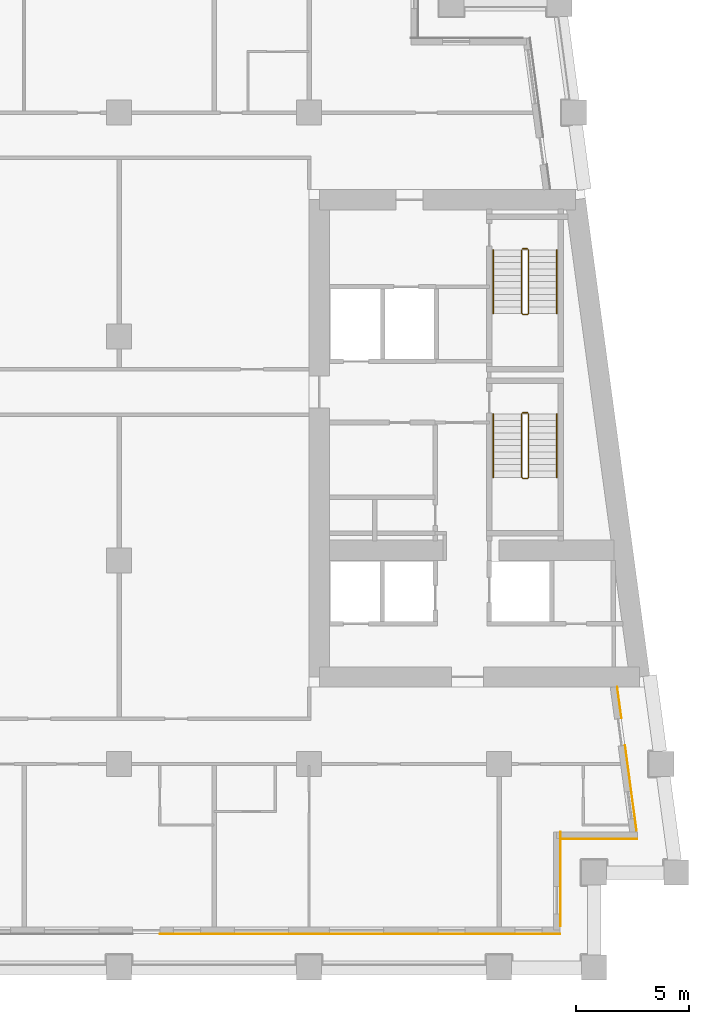
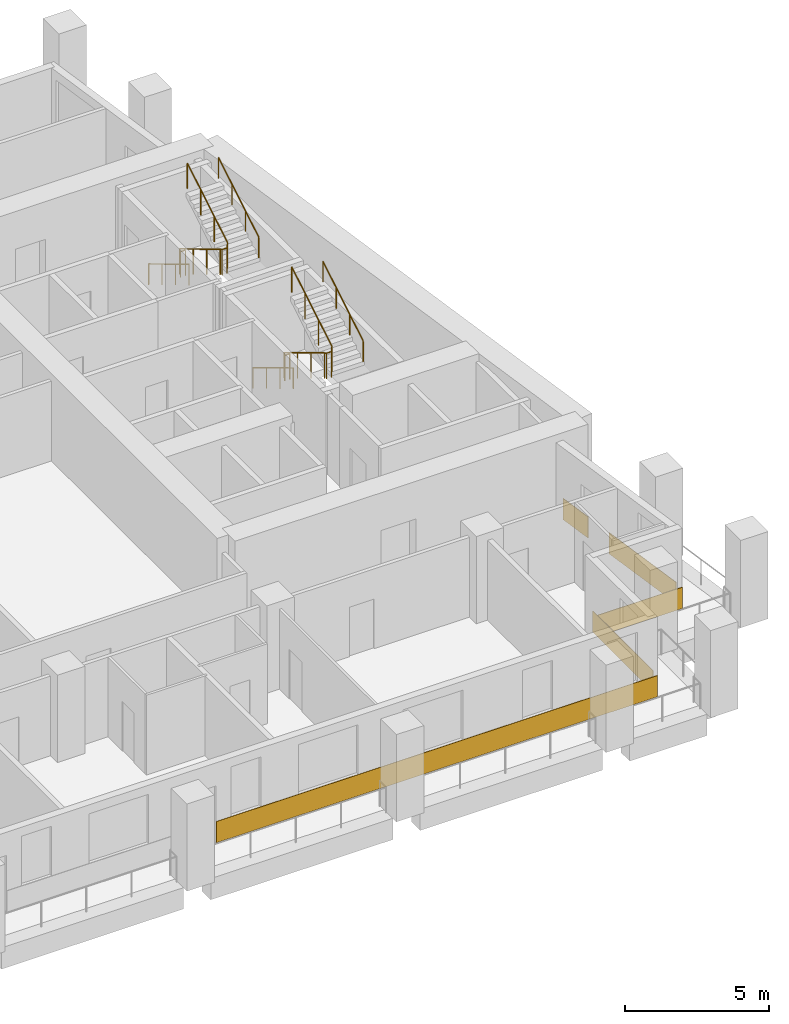
# One storey, part 11 of 13: 8 railings, 5 coverings.
"""IFC4 building model written with IfcOpenShell, lengths in metres."""

from ifc_helpers import new_model, si_unit, direction, frame, origin, origin_2d, place, context, subcontext, project, spatial, rectangle, circle, extrude, material, layer, layer_set, type_object, element, save


model = new_model("IFC4")

# Units and contexts
model_context = context("Model", 3, precision=1e-05, world=origin(), true_north=direction((0.0, 1.0)))
body_context = subcontext(model_context, "Body", "Model", "MODEL_VIEW")
ifc_project = project(units=[si_unit("LENGTHUNIT", "METRE"), si_unit("AREAUNIT", "SQUARE_METRE"), si_unit("VOLUMEUNIT", "CUBIC_METRE"), si_unit("PLANEANGLEUNIT", "RADIAN"), si_unit("MASSUNIT", "GRAM", prefix="KILO")], contexts=[model_context])

# Site, building, storey
site_placement = place(None, origin())
site = spatial("IfcSite", under=ifc_project, at=site_placement, CompositionType="ELEMENT")
building_placement = place(site_placement, origin())
building = spatial("IfcBuilding", under=site, at=building_placement, Name="Candeia Pilgrim Tower and Theatre", CompositionType="ELEMENT")
storey_placement = place(building_placement, frame((0.0, 0.0, 170.0)))
storey = spatial("IfcBuildingStorey", under=building, at=storey_placement, Name="L40", CompositionType="ELEMENT", Elevation=170.0)

# Coverings
ifc_material_1 = material(Name="Glazed ceramic tile rust")
ifc_layer = layer(ifc_material_1, 0.02001953125)
ifc_layer_set = layer_set([ifc_layer], Name="Glazed ceramic tile rust")
covering_type = type_object("IfcCoveringType", Name="Glazed ceramic tile rust", PredefinedType="CLADDING", material=ifc_layer_set)
covering_1_placement = place(storey_placement, frame((128.25, 99.489990234375, 0.0), z_axis=(0.0, 0.0, 1.0), x_axis=(1.0, 0.0, 0.0)))
element("IfcCovering", 1, at=covering_1_placement, inside=storey, type_object=covering_type, Name="Tile cladding rust L40", PredefinedType="CLADDING", context=body_context, shape_type="SweptSolid", body=[
    extrude(rectangle(XDim=17.699951171875, YDim=0.02001953125, at=origin_2d()), origin(), (0.0, 0.0, 1.0), 0.89990234375),
])
covering_2_placement = place(storey_placement, frame((137.110107421875, 101.909912109375, 0.0), z_axis=(0.0, 0.0, 1.0), x_axis=(0.0, 1.0, 0.0)))
element("IfcCovering", 2, at=covering_2_placement, inside=storey, type_object=covering_type, Name="Tile cladding rust L40", PredefinedType="CLADDING", context=body_context, shape_type="SweptSolid", body=[
    extrude(rectangle(XDim=4.179931640625, YDim=0.02001953125, at=origin_2d()), origin(), (0.0, 0.0, 1.0), 0.89990234375),
])
covering_3_placement = place(storey_placement, frame((138.819580078125, 103.68994140625, 0.0), z_axis=(0.0, 0.0, 1.0), x_axis=(1.0, 0.0, 0.0)))
element("IfcCovering", 3, at=covering_3_placement, inside=storey, type_object=covering_type, Name="Tile cladding rust L40", PredefinedType="CLADDING", context=body_context, shape_type="SweptSolid", body=[
    extrude(rectangle(XDim=3.399169921875, YDim=0.02001953125, at=origin_2d()), origin(), (0.0, 0.0, 1.0), 0.89990234375),
])
covering_4_placement = place(storey_placement, frame((140.228515625, 105.933349609375, 0.0), z_axis=(0.0, 0.0, 1.0), x_axis=(-0.133412012145, 0.991060661622, 0.0)))
element("IfcCovering", 4, at=covering_4_placement, inside=storey, type_object=covering_type, Name="Tile cladding rust L40", PredefinedType="CLADDING", context=body_context, shape_type="SweptSolid", body=[
    extrude(rectangle(XDim=3.821044921875, YDim=0.02001953125, at=origin_2d()), origin(), (0.0, 0.0, 1.0), 0.89990234375),
])
covering_5_placement = place(storey_placement, frame((139.718994140625, 109.71875, 0.0), z_axis=(0.0, 0.0, 1.0), x_axis=(-0.133412012145, 0.991060661622, 0.0)))
element("IfcCovering", 5, at=covering_5_placement, inside=storey, type_object=covering_type, Name="Tile cladding rust L40", PredefinedType="CLADDING", context=body_context, shape_type="SweptSolid", body=[
    extrude(rectangle(XDim=1.41796875, YDim=0.02001953125, at=origin_2d()), origin(), (0.0, 0.0, 1.0), 0.89990234375),
])

# Railings
ifc_material_2 = material(Name="Stainless steel balustrade", Category="steel")
railing_type_1 = type_object("IfcRailingType", Name="RL-GUARD-1100", PredefinedType="GUARDRAIL", material=ifc_material_2)
railing_1_placement = place(storey_placement, frame((135.39794921875, 122.47509765625, 0.168212890625)))
element("IfcRailing", 6, at=railing_1_placement, inside=storey, type_object=railing_type_1, Name="L40 ST3 stair guard 1", PredefinedType="GUARDRAIL", context=body_context, shape_type="SweptSolid", body=[
    extrude(circle(Radius=0.02392578125, at=origin_2d()), frame((0.0, 0.0, 1.076171875), z_axis=(0.0, -0.857242210791, 0.514913383045), x_axis=(1.0, 0.0, 0.0)), (0.0, 0.0, 1.0), 3.266357421875),
    extrude(circle(Radius=0.02392578125, at=origin_2d()), frame((0.0, -2.800048828125, 2.7578125), z_axis=(0.707106781187, -0.707106781187, 0.0), x_axis=(0.707106781187, 0.707106781187, 0.0)), (0.0, 0.0, 1.0), 0.07080078125),
    extrude(circle(Radius=0.02392578125, at=origin_2d()), frame((0.050048828125, -2.85009765625, 2.7578125), z_axis=(1.0, 0.0, 0.0), x_axis=(0.0, 1.0, 0.0)), (0.0, 0.0, 1.0), 0.199951171875),
    extrude(circle(Radius=0.02392578125, at=origin_2d()), frame((0.25, -2.85009765625, 2.7578125), z_axis=(0.274582412415, 0.274582412415, 0.921525364591), x_axis=(-0.707106781187, 0.707106781187, 0.0)), (0.0, 0.0, 1.0), 0.182373046875),
    extrude(circle(Radius=0.02392578125, at=origin_2d()), frame((0.300048828125, -2.800048828125, 2.92578125), z_axis=(0.0, 0.857242210791, 0.514913383045), x_axis=(-1.0, 0.0, 0.0)), (0.0, 0.0, 1.0), 3.266357421875),
    extrude(circle(Radius=0.02099609375, at=origin_2d()), origin(), (0.0, 0.0, 1.0), 1.052001953125),
    extrude(circle(Radius=0.02099609375, at=origin_2d()), frame((0.0, -0.933349609375, 0.560546875)), (0.0, 0.0, 1.0), 1.052001953125),
    extrude(circle(Radius=0.02099609375, at=origin_2d()), frame((0.0, -1.86669921875, 1.121337890625)), (0.0, 0.0, 1.0), 1.052001953125),
    extrude(circle(Radius=0.02099609375, at=origin_2d()), frame((0.0, -2.800048828125, 1.681884765625)), (0.0, 0.0, 1.0), 1.052001953125),
    extrude(circle(Radius=0.02099609375, at=origin_2d()), frame((0.050048828125, -2.85009765625, 1.681884765625)), (0.0, 0.0, 1.0), 1.052001953125),
    extrude(circle(Radius=0.02099609375, at=origin_2d()), frame((0.25, -2.85009765625, 1.681884765625)), (0.0, 0.0, 1.0), 1.052001953125),
    extrude(circle(Radius=0.02099609375, at=origin_2d()), frame((0.300048828125, -2.800048828125, 1.849853515625)), (0.0, 0.0, 1.0), 1.052001953125),
    extrude(circle(Radius=0.02099609375, at=origin_2d()), frame((0.300048828125, -1.86669921875, 2.410400390625)), (0.0, 0.0, 1.0), 1.052001953125),
    extrude(circle(Radius=0.02099609375, at=origin_2d()), frame((0.300048828125, -0.933349609375, 2.97119140625)), (0.0, 0.0, 1.0), 1.052001953125),
    extrude(circle(Radius=0.02099609375, at=origin_2d()), frame((0.300048828125, 0.0, 3.53173828125)), (0.0, 0.0, 1.0), 1.052001953125),
])
railing_2_placement = place(storey_placement, frame((135.447998046875, 122.52490234375, 0.0)))
element("IfcRailing", 7, at=railing_2_placement, inside=storey, type_object=railing_type_1, Name="L40 ST3 stair guard 2", PredefinedType="GUARDRAIL", context=body_context, shape_type="SweptSolid", body=[
    extrude(circle(Radius=0.02392578125, at=origin_2d()), frame((0.0, 0.0, 1.076171875), z_axis=(1.0, 0.0, 0.0), x_axis=(0.0, 1.0, 0.0)), (0.0, 0.0, 1.0), 0.199951171875),
    extrude(circle(Radius=0.02099609375, at=origin_2d()), origin(), (0.0, 0.0, 1.0), 1.052001953125),
    extrude(circle(Radius=0.02099609375, at=origin_2d()), frame((0.199951171875, 0.0, 0.0)), (0.0, 0.0, 1.0), 1.052001953125),
])
railing_3_placement = place(storey_placement, frame((135.39794921875, 129.72509765625, 0.168212890625)))
element("IfcRailing", 8, at=railing_3_placement, inside=storey, type_object=railing_type_1, Name="L40 ST4 stair guard 1", PredefinedType="GUARDRAIL", context=body_context, shape_type="SweptSolid", body=[
    extrude(circle(Radius=0.02392578125, at=origin_2d()), frame((0.0, 0.0, 1.076171875), z_axis=(0.0, -0.857242210791, 0.514913383045), x_axis=(1.0, 0.0, 0.0)), (0.0, 0.0, 1.0), 3.266357421875),
    extrude(circle(Radius=0.02392578125, at=origin_2d()), frame((0.0, -2.800048828125, 2.7578125), z_axis=(0.707106781187, -0.707106781187, 0.0), x_axis=(0.707106781187, 0.707106781187, 0.0)), (0.0, 0.0, 1.0), 0.07080078125),
    extrude(circle(Radius=0.02392578125, at=origin_2d()), frame((0.050048828125, -2.85009765625, 2.7578125), z_axis=(1.0, 0.0, 0.0), x_axis=(0.0, 1.0, 0.0)), (0.0, 0.0, 1.0), 0.199951171875),
    extrude(circle(Radius=0.02392578125, at=origin_2d()), frame((0.25, -2.85009765625, 2.7578125), z_axis=(0.274582412415, 0.274582412415, 0.921525364591), x_axis=(-0.707106781187, 0.707106781187, 0.0)), (0.0, 0.0, 1.0), 0.182373046875),
    extrude(circle(Radius=0.02392578125, at=origin_2d()), frame((0.300048828125, -2.800048828125, 2.92578125), z_axis=(0.0, 0.857242210791, 0.514913383045), x_axis=(-1.0, 0.0, 0.0)), (0.0, 0.0, 1.0), 3.266357421875),
    extrude(circle(Radius=0.02099609375, at=origin_2d()), origin(), (0.0, 0.0, 1.0), 1.052001953125),
    extrude(circle(Radius=0.02099609375, at=origin_2d()), frame((0.0, -0.933349609375, 0.560546875)), (0.0, 0.0, 1.0), 1.052001953125),
    extrude(circle(Radius=0.02099609375, at=origin_2d()), frame((0.0, -1.86669921875, 1.121337890625)), (0.0, 0.0, 1.0), 1.052001953125),
    extrude(circle(Radius=0.02099609375, at=origin_2d()), frame((0.0, -2.800048828125, 1.681884765625)), (0.0, 0.0, 1.0), 1.052001953125),
    extrude(circle(Radius=0.02099609375, at=origin_2d()), frame((0.050048828125, -2.85009765625, 1.681884765625)), (0.0, 0.0, 1.0), 1.052001953125),
    extrude(circle(Radius=0.02099609375, at=origin_2d()), frame((0.25, -2.85009765625, 1.681884765625)), (0.0, 0.0, 1.0), 1.052001953125),
    extrude(circle(Radius=0.02099609375, at=origin_2d()), frame((0.300048828125, -2.800048828125, 1.849853515625)), (0.0, 0.0, 1.0), 1.052001953125),
    extrude(circle(Radius=0.02099609375, at=origin_2d()), frame((0.300048828125, -1.86669921875, 2.410400390625)), (0.0, 0.0, 1.0), 1.052001953125),
    extrude(circle(Radius=0.02099609375, at=origin_2d()), frame((0.300048828125, -0.933349609375, 2.97119140625)), (0.0, 0.0, 1.0), 1.052001953125),
    extrude(circle(Radius=0.02099609375, at=origin_2d()), frame((0.300048828125, 0.0, 3.53173828125)), (0.0, 0.0, 1.0), 1.052001953125),
])
railing_4_placement = place(storey_placement, frame((135.447998046875, 129.77490234375, 0.0)))
element("IfcRailing", 9, at=railing_4_placement, inside=storey, type_object=railing_type_1, Name="L40 ST4 stair guard 2", PredefinedType="GUARDRAIL", context=body_context, shape_type="SweptSolid", body=[
    extrude(circle(Radius=0.02392578125, at=origin_2d()), frame((0.0, 0.0, 1.076171875), z_axis=(1.0, 0.0, 0.0), x_axis=(0.0, 1.0, 0.0)), (0.0, 0.0, 1.0), 0.199951171875),
    extrude(circle(Radius=0.02099609375, at=origin_2d()), origin(), (0.0, 0.0, 1.0), 1.052001953125),
    extrude(circle(Radius=0.02099609375, at=origin_2d()), frame((0.199951171875, 0.0, 0.0)), (0.0, 0.0, 1.0), 1.052001953125),
])
ifc_material_3 = material(Name="Stainless steel handrail", Category="steel")
railing_type_2 = type_object("IfcRailingType", Name="RL-HANDRAIL-900", PredefinedType="HANDRAIL", material=ifc_material_3)
railing_5_placement = place(storey_placement, frame((134.14794921875, 122.47509765625, 0.168212890625)))
element("IfcRailing", 10, at=railing_5_placement, inside=storey, type_object=railing_type_2, Name="L40 ST3 stair handrail 1", PredefinedType="HANDRAIL", context=body_context, shape_type="SweptSolid", body=[
    extrude(circle(Radius=0.02392578125, at=origin_2d()), frame((0.0, 0.0, 0.8759765625), z_axis=(0.0, -0.857242210791, 0.514913383045), x_axis=(1.0, 0.0, 0.0)), (0.0, 0.0, 1.0), 3.266357421875),
    extrude(circle(Radius=0.02099609375, at=origin_2d()), origin(), (0.0, 0.0, 1.0), 0.851806640625),
    extrude(circle(Radius=0.02099609375, at=origin_2d()), frame((0.0, -0.933349609375, 0.560546875)), (0.0, 0.0, 1.0), 0.851806640625),
    extrude(circle(Radius=0.02099609375, at=origin_2d()), frame((0.0, -1.86669921875, 1.121337890625)), (0.0, 0.0, 1.0), 0.851806640625),
    extrude(circle(Radius=0.02099609375, at=origin_2d()), frame((0.0, -2.800048828125, 1.681884765625)), (0.0, 0.0, 1.0), 0.851806640625),
])
railing_6_placement = place(storey_placement, frame((136.947998046875, 119.675048828125, 2.01806640625)))
element("IfcRailing", 11, at=railing_6_placement, inside=storey, type_object=railing_type_2, Name="L40 ST3 stair handrail 2", PredefinedType="HANDRAIL", context=body_context, shape_type="SweptSolid", body=[
    extrude(circle(Radius=0.02392578125, at=origin_2d()), frame((0.0, 0.0, 0.8759765625), z_axis=(0.0, 0.857242210791, 0.514913383045), x_axis=(-1.0, 0.0, 0.0)), (0.0, 0.0, 1.0), 3.266357421875),
    extrude(circle(Radius=0.02099609375, at=origin_2d()), origin(), (0.0, 0.0, 1.0), 0.851806640625),
    extrude(circle(Radius=0.02099609375, at=origin_2d()), frame((0.0, 0.933349609375, 0.560546875)), (0.0, 0.0, 1.0), 0.851806640625),
    extrude(circle(Radius=0.02099609375, at=origin_2d()), frame((0.0, 1.86669921875, 1.121337890625)), (0.0, 0.0, 1.0), 0.851806640625),
    extrude(circle(Radius=0.02099609375, at=origin_2d()), frame((0.0, 2.800048828125, 1.681884765625)), (0.0, 0.0, 1.0), 0.851806640625),
])
railing_7_placement = place(storey_placement, frame((134.14794921875, 129.72509765625, 0.168212890625)))
element("IfcRailing", 12, at=railing_7_placement, inside=storey, type_object=railing_type_2, Name="L40 ST4 stair handrail 1", PredefinedType="HANDRAIL", context=body_context, shape_type="SweptSolid", body=[
    extrude(circle(Radius=0.02392578125, at=origin_2d()), frame((0.0, 0.0, 0.8759765625), z_axis=(0.0, -0.857242210791, 0.514913383045), x_axis=(1.0, 0.0, 0.0)), (0.0, 0.0, 1.0), 3.266357421875),
    extrude(circle(Radius=0.02099609375, at=origin_2d()), origin(), (0.0, 0.0, 1.0), 0.851806640625),
    extrude(circle(Radius=0.02099609375, at=origin_2d()), frame((0.0, -0.933349609375, 0.560546875)), (0.0, 0.0, 1.0), 0.851806640625),
    extrude(circle(Radius=0.02099609375, at=origin_2d()), frame((0.0, -1.86669921875, 1.121337890625)), (0.0, 0.0, 1.0), 0.851806640625),
    extrude(circle(Radius=0.02099609375, at=origin_2d()), frame((0.0, -2.800048828125, 1.681884765625)), (0.0, 0.0, 1.0), 0.851806640625),
])
railing_8_placement = place(storey_placement, frame((136.947998046875, 126.925048828125, 2.01806640625)))
element("IfcRailing", 13, at=railing_8_placement, inside=storey, type_object=railing_type_2, Name="L40 ST4 stair handrail 2", PredefinedType="HANDRAIL", context=body_context, shape_type="SweptSolid", body=[
    extrude(circle(Radius=0.02392578125, at=origin_2d()), frame((0.0, 0.0, 0.8759765625), z_axis=(0.0, 0.857242210791, 0.514913383045), x_axis=(-1.0, 0.0, 0.0)), (0.0, 0.0, 1.0), 3.266357421875),
    extrude(circle(Radius=0.02099609375, at=origin_2d()), origin(), (0.0, 0.0, 1.0), 0.851806640625),
    extrude(circle(Radius=0.02099609375, at=origin_2d()), frame((0.0, 0.933349609375, 0.560546875)), (0.0, 0.0, 1.0), 0.851806640625),
    extrude(circle(Radius=0.02099609375, at=origin_2d()), frame((0.0, 1.86669921875, 1.121337890625)), (0.0, 0.0, 1.0), 0.851806640625),
    extrude(circle(Radius=0.02099609375, at=origin_2d()), frame((0.0, 2.800048828125, 1.681884765625)), (0.0, 0.0, 1.0), 0.851806640625),
])

save(model, "model.ifc")
